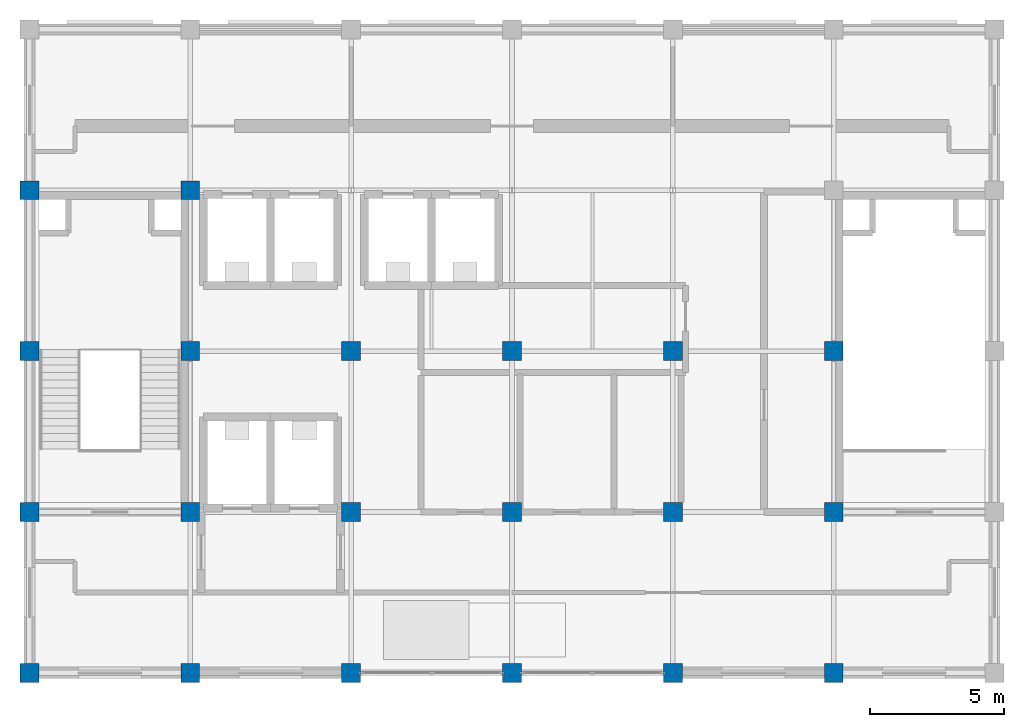
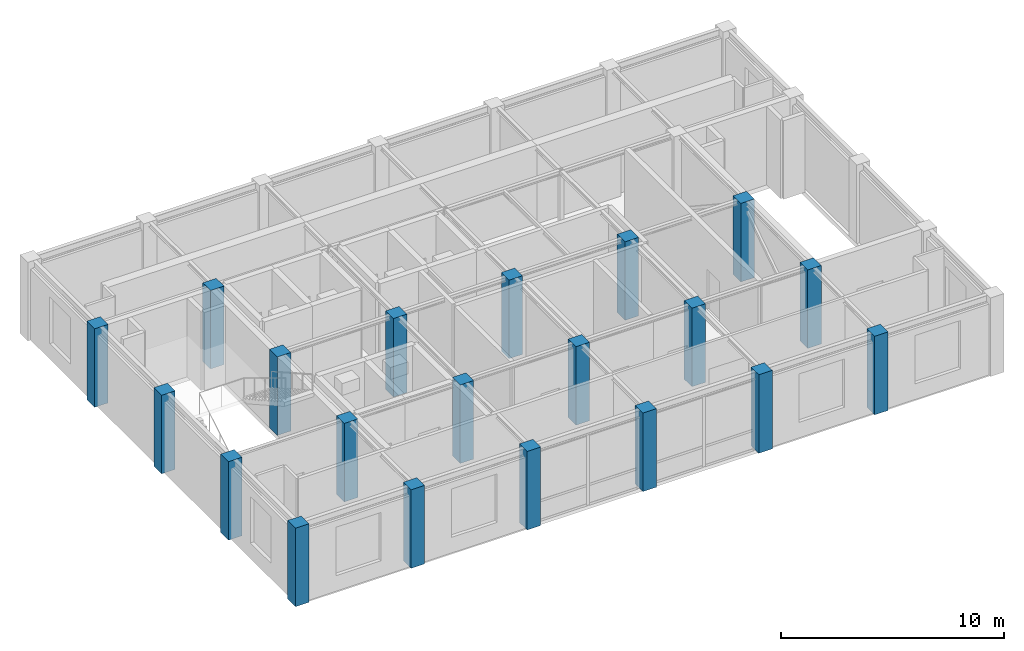
# One storey, part 1 of 11: 20 columns.
"""IFC4 building model written with IfcOpenShell, lengths in metres."""

from ifc_helpers import new_model, si_unit, direction, frame, origin, origin_2d, place, context, subcontext, project, spatial, rectangle, extrude, material, material_profile, profile_set, type_object, element, save


model = new_model("IFC4")

# Units and contexts
model_context = context("Model", 3, precision=1e-05, world=origin(), true_north=direction((0.0, 1.0)))
body_context = subcontext(model_context, "Body", "Model", "MODEL_VIEW")
ifc_project = project(units=[si_unit("LENGTHUNIT", "METRE"), si_unit("AREAUNIT", "SQUARE_METRE"), si_unit("VOLUMEUNIT", "CUBIC_METRE"), si_unit("PLANEANGLEUNIT", "RADIAN"), si_unit("MASSUNIT", "GRAM", prefix="KILO")], contexts=[model_context])

# Site, building, storey
site_placement = place(None, origin())
site = spatial("IfcSite", under=ifc_project, at=site_placement, CompositionType="ELEMENT")
building_placement = place(site_placement, origin())
building = spatial("IfcBuilding", under=site, at=building_placement, Name="Zlatovratsky Civic Hall", CompositionType="ELEMENT")
storey_placement = place(building_placement, frame((0.0, 0.0, 72.0)))
storey = spatial("IfcBuildingStorey", under=building, at=storey_placement, Name="L18", CompositionType="ELEMENT", Elevation=72.0)

# Columns
ifc_material = material(Name="Concrete C35/45 (B40)", Category="concrete")
ifc_material_profile = material_profile(ifc_material, rectangle(XDim=0.699951171875, YDim=0.699951171875, at=origin_2d()), Name="RC 700x700")
ifc_profile_set = profile_set([ifc_material_profile], Name="Concrete C35/45 (B40)")
column_type = type_object("IfcColumnType", Name="Col_CorePier_RC700", PredefinedType="COLUMN", material=ifc_profile_set)
for number, where, z_axis, x_axis, name in (
    (1, (66.0, 78.0, 0.0), (0.0, 0.0, 1.0), (1.0, 0.0, 0.0), "CL-2680"),
    (2, (72.0, 78.0, 0.0), (0.0, 0.0, 1.0), (1.0, 0.0, 0.0), "CL-2681"),
    (3, (78.0, 78.0, 0.0), (0.0, 0.0, 1.0), (1.0, 0.0, 0.0), "CL-2682"),
    (4, (84.0, 78.0, 0.0), (0.0, 0.0, 1.0), (1.0, 0.0, 0.0), "CL-2683"),
    (5, (90.0, 78.0, 0.0), (0.0, 0.0, 1.0), (1.0, 0.0, 0.0), "CL-2684"),
    (6, (96.0, 78.0, 0.0), (0.0, 0.0, 1.0), (1.0, 0.0, 0.0), "CL-2685"),
    (7, (66.0, 84.0, 0.0), (0.0, 0.0, 1.0), (1.0, 0.0, 0.0), "CL-2687"),
    (8, (72.0, 84.0, 0.0), (0.0, 0.0, 1.0), (1.0, 0.0, 0.0), "CL-2688"),
    (9, (78.0, 84.0, 0.0), (0.0, 0.0, 1.0), (1.0, 0.0, 0.0), "CL-2689"),
    (10, (84.0, 84.0, 0.0), (0.0, 0.0, 1.0), (1.0, 0.0, 0.0), "CL-2690"),
    (11, (90.0, 84.0, 0.0), (0.0, 0.0, 1.0), (1.0, 0.0, 0.0), "CL-2691"),
    (12, (96.0, 84.0, 0.0), (0.0, 0.0, 1.0), (1.0, 0.0, 0.0), "CL-2692"),
    (13, (66.0, 90.0, 0.0), (0.0, 0.0, 1.0), (1.0, 0.0, 0.0), "CL-2694"),
    (14, (72.0, 90.0, 0.0), (0.0, 0.0, 1.0), (1.0, 0.0, 0.0), "CL-2695"),
    (15, (78.0, 90.0, 0.0), (0.0, 0.0, 1.0), (1.0, 0.0, 0.0), "CL-2696"),
    (16, (84.0, 90.0, 0.0), (0.0, 0.0, 1.0), (1.0, 0.0, 0.0), "CL-2697"),
    (17, (90.0, 90.0, 0.0), (0.0, 0.0, 1.0), (1.0, 0.0, 0.0), "CL-2698"),
    (18, (96.0, 90.0, 0.0), (0.0, 0.0, 1.0), (1.0, 0.0, 0.0), "CL-2699"),
    (19, (66.0, 96.0, 0.0), (0.0, 0.0, 1.0), (1.0, 0.0, 0.0), "CL-2701"),
    (20, (72.0, 96.0, 0.0), (0.0, 0.0, 1.0), (1.0, 0.0, 0.0), "CL-2702"),
):
    element("IfcColumn", number, at=place(storey_placement, frame(where, z_axis=z_axis, x_axis=x_axis)), inside=storey, type_object=column_type, Name=name, PredefinedType="COLUMN", context=body_context, shape_type="SweptSolid", body=[
        extrude(rectangle(XDim=0.699951171875, YDim=0.699951171875, at=origin_2d()), origin(), (0.0, 0.0, 1.0), 4.300048828125),
    ])

save(model, "model.ifc")
